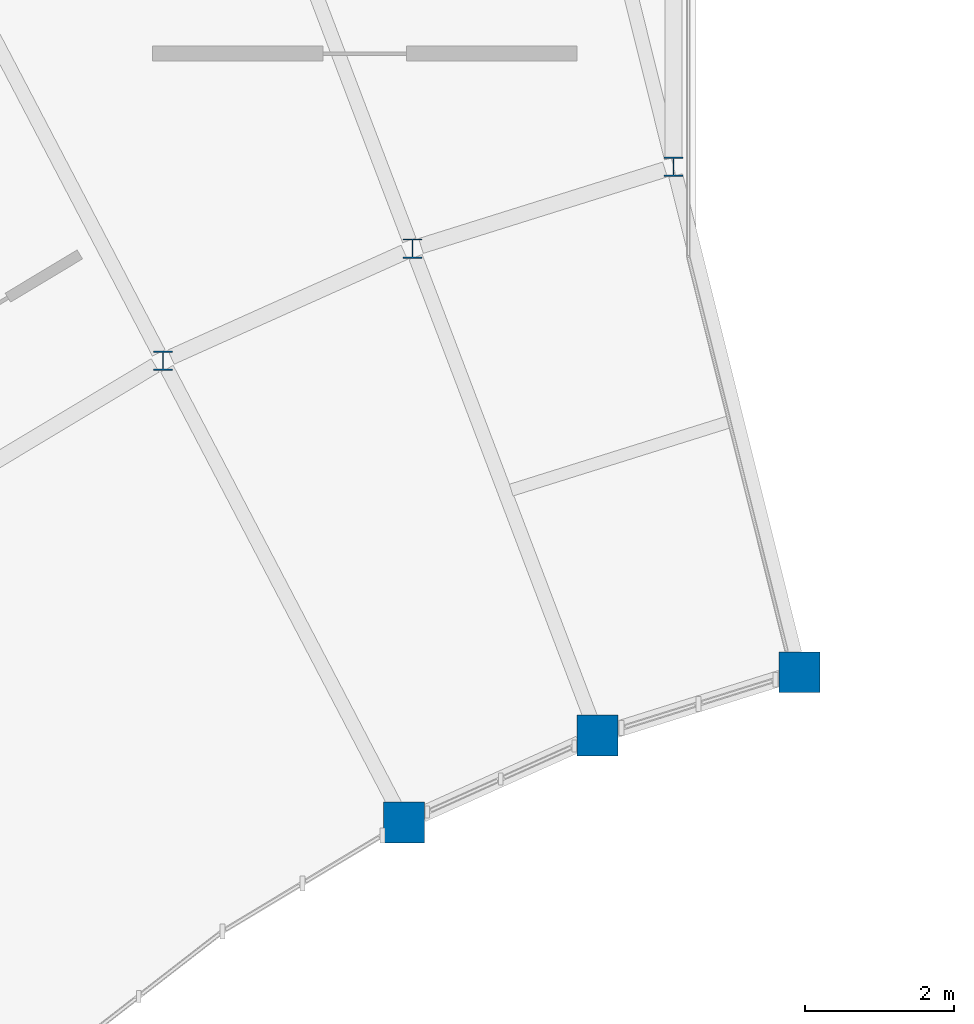
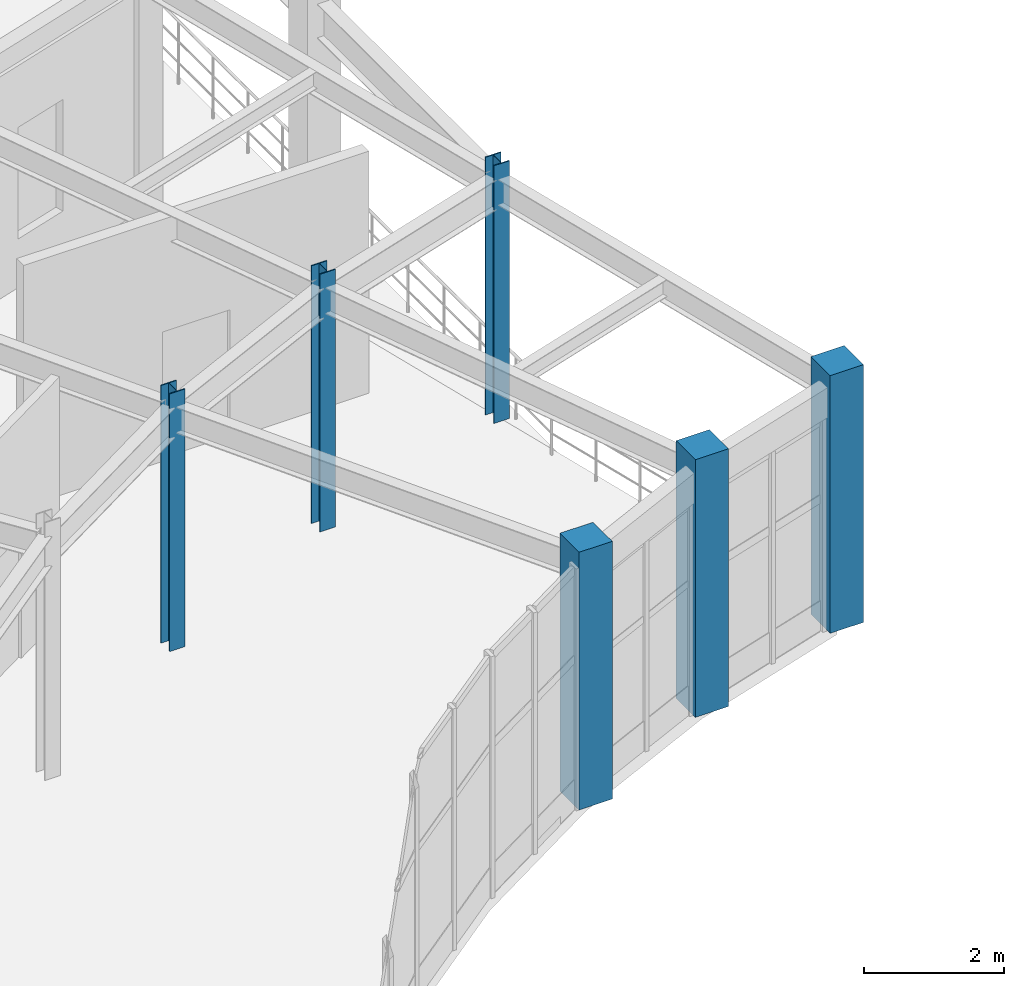
# One storey, part 13 of 112: 6 columns.
"""IFC4 building model written with IfcOpenShell, lengths in metres."""

from ifc_helpers import new_model, si_unit, direction, frame, origin, origin_2d, place, context, subcontext, project, spatial, rectangle, i_section, extrude, material, material_profile, profile_set, type_object, element, save


model = new_model("IFC4")

# Units and contexts
model_context = context("Model", 3, precision=1e-05, world=origin(), true_north=direction((0.0, 1.0)))
body_context = subcontext(model_context, "Body", "Model", "MODEL_VIEW")
ifc_project = project(units=[si_unit("LENGTHUNIT", "METRE"), si_unit("AREAUNIT", "SQUARE_METRE"), si_unit("VOLUMEUNIT", "CUBIC_METRE"), si_unit("PLANEANGLEUNIT", "RADIAN"), si_unit("MASSUNIT", "GRAM", prefix="KILO")], contexts=[model_context])

# Site, building, storey
site_placement = place(None, origin())
site = spatial("IfcSite", under=ifc_project, at=site_placement, CompositionType="ELEMENT")
building_placement = place(site_placement, origin())
building = spatial("IfcBuilding", under=site, at=building_placement, Name="Cinderbank Siding Concert Hall", CompositionType="ELEMENT")
storey_placement = place(building_placement, frame((0.0, 0.0, 10.199951171875)))
storey = spatial("IfcBuildingStorey", under=building, at=storey_placement, Name="L03", CompositionType="ELEMENT", Elevation=10.199951171875)

# Columns
ifc_material_1 = material(Name="Reinforced concrete AS 3600 N50 (50 MPa)", Category="concrete")
ifc_material_profile_1 = material_profile(ifc_material_1, rectangle(XDim=0.550048828125, YDim=0.550048828125, at=origin_2d()), Name="RC-COL-550x550", Category="LoadBearing")
ifc_profile_set_1 = profile_set([ifc_material_profile_1], Name="Reinforced concrete AS 3600 N50 (50 MPa)")
column_type_1 = type_object("IfcColumnType", Name="C-RC550 RC-COL-550x550", PredefinedType="COLUMN", material=ifc_profile_set_1)
for number, where, z_axis, x_axis, name in (
    (1, (50.194091796875, 91.287109375, 0.0), (0.0, 0.0, 1.0), (1.0, 0.0, 0.0), "L03 Column COL-WIN-01"),
    (2, (47.47705078125, 90.43603515625, 0.0), (0.0, 0.0, 1.0), (1.0, 0.0, 0.0), "L03 Column COL-WIN-02"),
    (3, (44.881103515625, 89.26904296875, 0.0), (0.0, 0.0, 1.0), (1.0, 0.0, 0.0), "L03 Column COL-WIN-03"),
):
    element("IfcColumn", number, at=place(storey_placement, frame(where, z_axis=z_axis, x_axis=x_axis)), inside=storey, type_object=column_type_1, Name=name, PredefinedType="COLUMN", context=body_context, shape_type="SweptSolid", body=[
        extrude(rectangle(XDim=0.550048828125, YDim=0.550048828125, at=origin_2d()), origin(), (0.0, 0.0, 1.0), 4.5),
    ])
ifc_material_2 = material(Name="Structural steel AS/NZS 3679.1 Grade 350 (340 MPa)", Category="steel")
ifc_material_profile_2 = material_profile(ifc_material_2, i_section(OverallWidth=0.256103515625, OverallDepth=0.260009765625, WebThickness=0.010498046875, FlangeThickness=0.017333984375, at=origin_2d()), Name="250UC89.5", Category="LoadBearing")
ifc_profile_set_2 = profile_set([ifc_material_profile_2], Name="Structural steel AS/NZS 3679.1 Grade 350 (340 MPa)")
column_type_2 = type_object("IfcColumnType", Name="C-UC250H 250UC89.5", PredefinedType="COLUMN", material=ifc_profile_set_2)
for number, where, z_axis, x_axis, name in (
    (4, (48.5, 98.0791015625, 0.0), (0.0, 0.0, 1.0), (1.0, 0.0, 0.0), "L03 Column COL-WMID-01"),
    (5, (44.991943359375, 96.97998046875, 0.0), (0.0, 0.0, 1.0), (1.0, 0.0, 0.0), "L03 Column COL-WMID-02"),
    (6, (41.637939453125, 95.471923828125, 0.0), (0.0, 0.0, 1.0), (1.0, 0.0, 0.0), "L03 Column COL-WMID-03"),
):
    element("IfcColumn", number, at=place(storey_placement, frame(where, z_axis=z_axis, x_axis=x_axis)), inside=storey, type_object=column_type_2, Name=name, PredefinedType="COLUMN", context=body_context, shape_type="SweptSolid", body=[
        extrude(i_section(OverallWidth=0.256103515625, OverallDepth=0.260009765625, WebThickness=0.010498046875, FlangeThickness=0.017333984375, at=origin_2d()), origin(), (0.0, 0.0, 1.0), 4.5),
    ])

save(model, "model.ifc")
